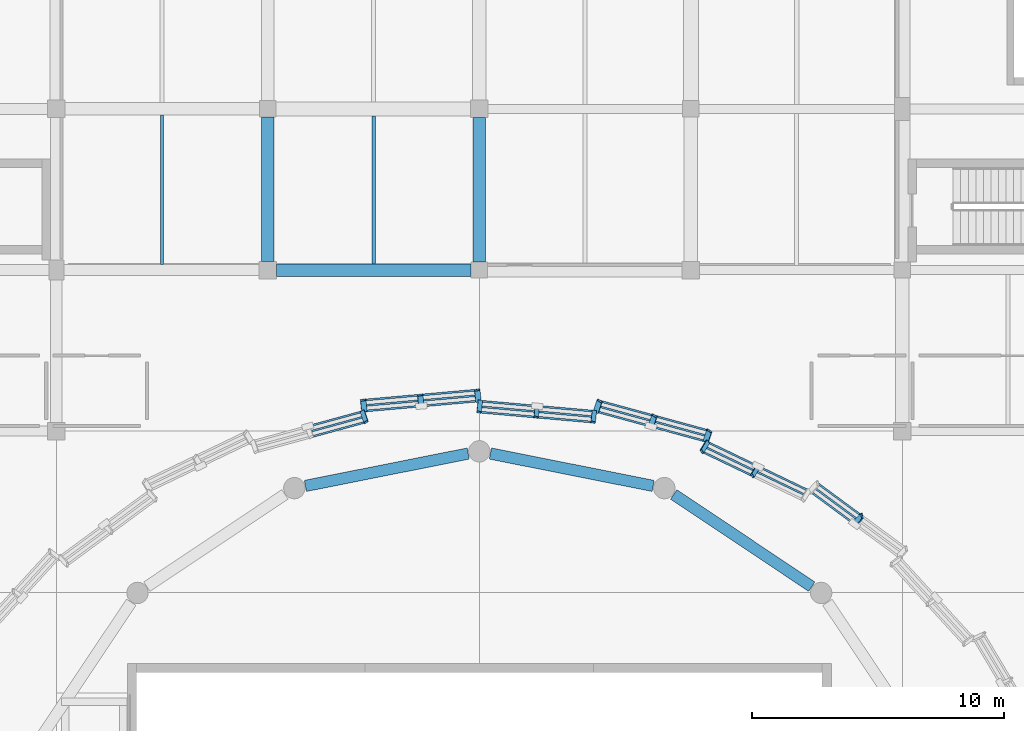
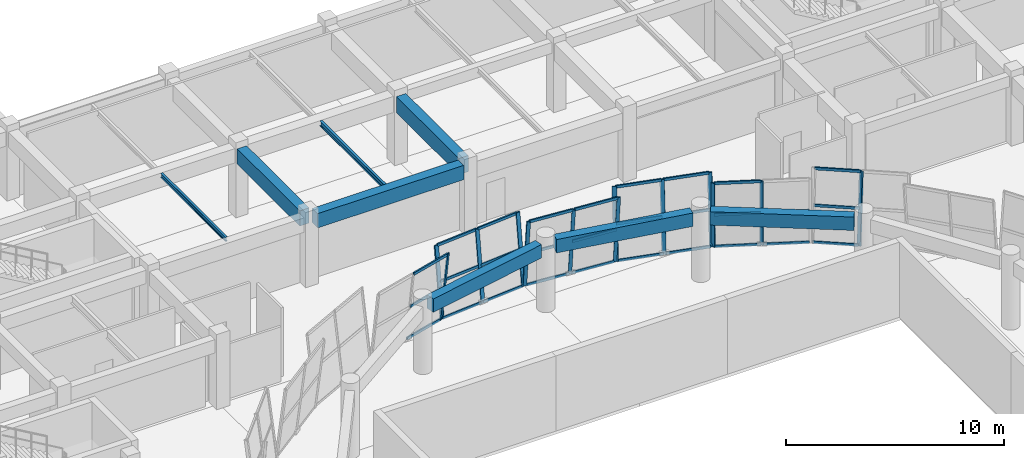
# One storey, part 35 of 74: 42 members, 8 beams, 6 elements without a shape of their own.
"""IFC4 building model written with IfcOpenShell, lengths in metres."""

from ifc_helpers import new_model, si_unit, direction, frame, origin, origin_2d, place, context, subcontext, project, spatial, rectangle, hollow_rectangle, i_section, extrude, material, material_profile, profile_set, type_object, element, aggregate, save


model = new_model("IFC4")

# Units and contexts
model_context = context("Model", 3, precision=1e-05, world=origin(), true_north=direction((0.0, 1.0)))
body_context = subcontext(model_context, "Body", "Model", "MODEL_VIEW")
ifc_project = project(units=[si_unit("LENGTHUNIT", "METRE"), si_unit("AREAUNIT", "SQUARE_METRE"), si_unit("VOLUMEUNIT", "CUBIC_METRE"), si_unit("PLANEANGLEUNIT", "RADIAN"), si_unit("MASSUNIT", "GRAM", prefix="KILO")], contexts=[model_context])

# Site, building, storey
site_placement = place(None, origin())
site = spatial("IfcSite", under=ifc_project, at=site_placement, CompositionType="ELEMENT")
building_placement = place(site_placement, origin())
building = spatial("IfcBuilding", under=site, at=building_placement, Name="Korsvaeld Concert Hall", CompositionType="ELEMENT")
storey_placement = place(building_placement, frame((0.0, 0.0, 9.0)))
storey = spatial("IfcBuildingStorey", under=building, at=storey_placement, Name="L02", CompositionType="ELEMENT", Elevation=9.0)

# Beams
ifc_material_1 = material(Name="Concrete C35/45", Category="concrete")
ifc_material_profile_1 = material_profile(ifc_material_1, rectangle(XDim=0.449951171875, YDim=0.75, at=origin_2d()), Name="RC 450x750")
ifc_profile_set_1 = profile_set([ifc_material_profile_1], Name="Concrete C35/45")
beam_type_1 = type_object("IfcBeamType", Name="BM-RC-450x750", PredefinedType="T_BEAM", material=ifc_profile_set_1)
beam_1_placement = place(storey_placement, frame((97.202392578125, 77.026611328125, 3.465087890625), z_axis=(-0.83148573347, 0.55554610523, 0.0), x_axis=(-0.55554610523, -0.83148573347, 0.0)))
element("IfcBeam", 1, at=beam_1_placement, inside=storey, type_object=beam_type_1, Name="Drum ring floor girder L02 03", PredefinedType="T_BEAM", context=body_context, shape_type="SweptSolid", body=[
    extrude(rectangle(XDim=0.449951171875, YDim=0.75, at=origin_2d()), origin(), (0.0, 0.0, 1.0), 6.591552734375),
])
for number, where, z_axis, x_axis, name in (
    (2, (90.906005859375, 81.0263671875, 3.465087890625), (-0.980785284484, 0.195090301499, 0.0), (-0.195090301499, -0.980785284484, 0.0), "Drum ring floor girder L02 04"),
    (3, (83.55859375, 82.312255859375, 3.465087890625), (-0.980785284484, -0.195090301499, 0.0), (0.195090301499, -0.980785284484, 0.0), "Drum ring floor girder L02 05"),
):
    element("IfcBeam", number, at=place(storey_placement, frame(where, z_axis=z_axis, x_axis=x_axis)), inside=storey, type_object=beam_type_1, Name=name, PredefinedType="T_BEAM", context=body_context, shape_type="SweptSolid", body=[
        extrude(rectangle(XDim=0.449951171875, YDim=0.75, at=origin_2d()), origin(), (0.0, 0.0, 1.0), 6.59130859375),
    ])
ifc_material_2 = material(Name="Concrete C40/50", Category="concrete")
ifc_material_profile_2 = material_profile(ifc_material_2, rectangle(XDim=0.5, YDim=0.800048828125, at=origin_2d()), Name="RC 500x800")
ifc_profile_set_2 = profile_set([ifc_material_profile_2], Name="Concrete C40/50")
beam_type_2 = type_object("IfcBeamType", Name="BM-RC-500x800", PredefinedType="T_BEAM", material=ifc_profile_set_2)
beam_2_placement = place(storey_placement, frame((75.949951171875, 89.60009765625, 3.43994140625), z_axis=(1.0, 0.0, 0.0), x_axis=(0.0, 1.0, 0.0)))
element("IfcBeam", 4, at=beam_2_placement, inside=storey, type_object=beam_type_2, Name="Primary girder 11-12/N L02", PredefinedType="T_BEAM", context=body_context, shape_type="SweptSolid", body=[
    extrude(rectangle(XDim=0.5, YDim=0.800048828125, at=origin_2d()), origin(), (0.0, 0.0, 1.0), 7.72509765625),
])
ifc_material_profile_3 = material_profile(ifc_material_2, rectangle(XDim=0.5, YDim=0.85009765625, at=origin_2d()), Name="RC 500x850")
ifc_profile_set_3 = profile_set([ifc_material_profile_3], Name="Concrete C40/50")
beam_type_3 = type_object("IfcBeamType", Name="BM-RC-500x850", PredefinedType="T_BEAM", material=ifc_profile_set_3)
beam_3_placement = place(storey_placement, frame((75.60009765625, 89.949951171875, 3.4150390625), z_axis=(0.0, 1.0, 0.0), x_axis=(-1.0, 0.0, 0.0)))
element("IfcBeam", 5, at=beam_3_placement, inside=storey, type_object=beam_type_3, Name="Primary girder 11/N-P L02", PredefinedType="T_BEAM", context=body_context, shape_type="SweptSolid", body=[
    extrude(rectangle(XDim=0.5, YDim=0.85009765625, at=origin_2d()), origin(), (0.0, 0.0, 1.0), 5.72509765625),
])
ifc_material_profile_4 = material_profile(ifc_material_2, rectangle(XDim=0.5, YDim=0.89990234375, at=origin_2d()), Name="RC 500x900")
ifc_profile_set_4 = profile_set([ifc_material_profile_4], Name="Concrete C40/50")
beam_type_4 = type_object("IfcBeamType", Name="BM-RC-500x900", PredefinedType="T_BEAM", material=ifc_profile_set_4)
beam_4_placement = place(storey_placement, frame((84.0, 89.925048828125, 3.389892578125), z_axis=(0.0, 1.0, 0.0), x_axis=(-1.0, 0.0, 0.0)))
element("IfcBeam", 6, at=beam_4_placement, inside=storey, type_object=beam_type_4, Name="Primary girder 12/N-P L02", PredefinedType="T_BEAM", context=body_context, shape_type="SweptSolid", body=[
    extrude(rectangle(XDim=0.5, YDim=0.89990234375, at=origin_2d()), origin(), (0.0, 0.0, 1.0), 5.724853515625),
])
ifc_material_3 = material(Name="Steel S355J2", Category="steel")
ifc_material_profile_5 = material_profile(ifc_material_3, i_section(OverallWidth=0.1201171875, OverallDepth=0.239990234375, WebThickness=0.006103515625, FlangeThickness=0.009765625, FilletRadius=0.014892578125, at=origin_2d()), Name="IPE 240")
ifc_profile_set_5 = profile_set([ifc_material_profile_5], Name="Steel S355J2")
beam_type_5 = type_object("IfcBeamType", Name="BM-STL-IPE240", PredefinedType="JOIST", material=ifc_profile_set_5)
beam_5_placement = place(storey_placement, frame((71.39990234375, 89.824951171875, 3.719970703125), z_axis=(0.0, 1.0, 0.0), x_axis=(-1.0, 0.0, 0.0)))
element("IfcBeam", 7, at=beam_5_placement, inside=storey, type_object=beam_type_5, Name="Secondary steel floor beam 10-11/N L02", PredefinedType="JOIST", context=body_context, shape_type="SweptSolid", body=[
    extrude(i_section(OverallWidth=0.1201171875, OverallDepth=0.239990234375, WebThickness=0.006103515625, FlangeThickness=0.009765625, FilletRadius=0.014892578125, at=origin_2d()), origin(), (0.0, 0.0, 1.0), 5.925048828125),
])
ifc_material_profile_6 = material_profile(ifc_material_3, i_section(OverallWidth=0.135009765625, OverallDepth=0.27001953125, WebThickness=0.006591796875, FlangeThickness=0.01025390625, FilletRadius=0.014892578125, at=origin_2d()), Name="IPE 270")
ifc_profile_set_6 = profile_set([ifc_material_profile_6], Name="Steel S355J2")
beam_type_6 = type_object("IfcBeamType", Name="BM-STL-IPE270", PredefinedType="JOIST", material=ifc_profile_set_6)
beam_6_placement = place(storey_placement, frame((79.800048828125, 89.85009765625, 3.705078125), z_axis=(0.0, 1.0, 0.0), x_axis=(-1.0, 0.0, 0.0)))
element("IfcBeam", 8, at=beam_6_placement, inside=storey, type_object=beam_type_6, Name="Secondary steel floor beam 11-12/N L02", PredefinedType="JOIST", context=body_context, shape_type="SweptSolid", body=[
    extrude(i_section(OverallWidth=0.135009765625, OverallDepth=0.27001953125, WebThickness=0.006591796875, FlangeThickness=0.01025390625, FilletRadius=0.014892578125, at=origin_2d()), origin(), (0.0, 0.0, 1.0), 5.875),
])

# Curtain wall, members
ifc_material_4 = material(Name="Anodised bronze and ceramic-fritted safety glass", Category="glass")
curtain_wall_type_1 = type_object("IfcCurtainWallType", Name="CW-TYPE-06", PredefinedType="USERDEFINED", material=ifc_material_4)
curtain_wall_1_placement = place(storey_placement, origin())
curtain_wall_1 = element("IfcCurtainWall", 9, at=curtain_wall_1_placement, inside=storey, type_object=curtain_wall_type_1, Name="Crystal curtain-wall facet L02 F06", ObjectType="CURTAIN WALL", PredefinedType="USERDEFINED")
ifc_material_5 = material(Name="Anodised architectural bronze aluminium", Category="aluminium")
ifc_material_profile_7 = material_profile(ifc_material_5, hollow_rectangle(XDim=0.074951171875, YDim=0.179931640625, WallThickness=0.0048828125, at=origin_2d()), Name="CWM 180x75x5")
ifc_profile_set_7 = profile_set([ifc_material_profile_7], Name="Anodised architectural bronze aluminium")
member_type_1 = type_object("IfcMemberType", Name="CWM-BRONZE-180x75", PredefinedType="MULLION", material=ifc_profile_set_7)
member_1_placement = place(storey_placement, frame((95.0712890625, 81.806640625, 0.0), z_axis=(-0.057831431032, -0.097281845066, 0.993575245367), x_axis=(-0.829740385878, -0.548745919408, -0.10202356579)))
member_1 = element("IfcMember", 10, at=member_1_placement, type_object=member_type_1, Name="CW-CRYS-L02-F06 crystal mullion 2", PredefinedType="MULLION", context=body_context, shape_type="SweptSolid", body=[
    extrude(hollow_rectangle(XDim=0.074951171875, YDim=0.179931640625, WallThickness=0.0048828125, at=origin_2d()), origin(), (0.0, 0.0, 1.0), 3.905029296875),
])
member_2_placement = place(storey_placement, frame((93.065185546875, 82.77001953125, 0.0), z_axis=(-0.057893742062, -0.097281493141, 0.993571651026), x_axis=(-0.829999138773, -0.548349174532, -0.102052008437)))
member_2 = element("IfcMember", 11, at=member_2_placement, type_object=member_type_1, Name="CW-CRYS-L02-F06 crystal mullion 3", PredefinedType="MULLION", context=body_context, shape_type="SweptSolid", body=[
    extrude(hollow_rectangle(XDim=0.074951171875, YDim=0.179931640625, WallThickness=0.0048828125, at=origin_2d()), origin(), (0.0, 0.0, 1.0), 3.905029296875),
])

curtain_wall_type_2 = type_object("IfcCurtainWallType", Name="CW-TYPE-08", PredefinedType="USERDEFINED", material=ifc_material_4)
curtain_wall_2_placement = place(storey_placement, origin())
curtain_wall_2 = element("IfcCurtainWall", 12, at=curtain_wall_2_placement, inside=storey, type_object=curtain_wall_type_2, Name="Crystal curtain-wall facet L02 F08", ObjectType="CURTAIN WALL", PredefinedType="USERDEFINED")
member_3_placement = place(storey_placement, frame((88.566650390625, 83.995849609375, 0.0), z_axis=(-0.0123164825, -0.112536388326, 0.993571268486), x_axis=(-0.195293442092, -0.974240168355, -0.11276775177)))
member_3 = element("IfcMember", 13, at=member_3_placement, type_object=member_type_1, Name="CW-CRYS-L02-F08 crystal mullion 1", PredefinedType="MULLION", context=body_context, shape_type="SweptSolid", body=[
    extrude(hollow_rectangle(XDim=0.074951171875, YDim=0.179931640625, WallThickness=0.0048828125, at=origin_2d()), origin(), (0.0, 0.0, 1.0), 3.905029296875),
])
member_4_placement = place(storey_placement, frame((86.302001953125, 84.1962890625, 0.0), z_axis=(-0.0123164825, -0.112536388326, 0.993571268486), x_axis=(-0.195293442092, -0.974240168355, -0.11276775177)))
member_4 = element("IfcMember", 14, at=member_4_placement, type_object=member_type_1, Name="CW-CRYS-L02-F08 crystal mullion 2", PredefinedType="MULLION", context=body_context, shape_type="SweptSolid", body=[
    extrude(hollow_rectangle(XDim=0.074951171875, YDim=0.179931640625, WallThickness=0.0048828125, at=origin_2d()), origin(), (0.0, 0.0, 1.0), 3.905029296875),
])
member_5_placement = place(storey_placement, frame((84.037353515625, 84.396728515625, 0.0), z_axis=(-0.0123164825, -0.112536388326, 0.993571268486), x_axis=(-0.195293442092, -0.974240168355, -0.11276775177)))
member_5 = element("IfcMember", 15, at=member_5_placement, type_object=member_type_1, Name="CW-CRYS-L02-F08 crystal mullion 3", PredefinedType="MULLION", context=body_context, shape_type="SweptSolid", body=[
    extrude(hollow_rectangle(XDim=0.074951171875, YDim=0.179931640625, WallThickness=0.0048828125, at=origin_2d()), origin(), (0.0, 0.0, 1.0), 3.905029296875),
])

# Curtain wall, member
curtain_wall_type_3 = type_object("IfcCurtainWallType", Name="CW-TYPE-02", PredefinedType="USERDEFINED", material=ifc_material_4)
curtain_wall_3_placement = place(storey_placement, origin())
curtain_wall_3 = element("IfcCurtainWall", 16, at=curtain_wall_3_placement, inside=storey, type_object=curtain_wall_type_3, Name="Crystal curtain-wall facet L02 F10", ObjectType="CURTAIN WALL", PredefinedType="USERDEFINED")
member_6_placement = place(storey_placement, frame((79.359619140625, 83.982666015625, 0.0), z_axis=(0.036261809037, -0.107222418101, 0.993573567614), x_axis=(0.556164276889, -0.823866065586, -0.109206241069)))
member_6 = element("IfcMember", 17, at=member_6_placement, type_object=member_type_1, Name="CW-CRYS-L02-F10 crystal mullion 1", PredefinedType="MULLION", context=body_context, shape_type="SweptSolid", body=[
    extrude(hollow_rectangle(XDim=0.074951171875, YDim=0.179931640625, WallThickness=0.0048828125, at=origin_2d()), origin(), (0.0, 0.0, 1.0), 3.905029296875),
])

curtain_wall_type_4 = type_object("IfcCurtainWallType", Name="CW-TYPE-05", PredefinedType="USERDEFINED", material=ifc_material_4)
curtain_wall_4_placement = place(storey_placement, origin())
curtain_wall_4 = element("IfcCurtainWall", 18, at=curtain_wall_4_placement, inside=storey, type_object=curtain_wall_type_4, Name="Crystal curtain-wall facet L02 F05", ObjectType="CURTAIN WALL", PredefinedType="USERDEFINED")
ifc_material_profile_8 = material_profile(ifc_material_5, hollow_rectangle(XDim=0.074951171875, YDim=0.219970703125, WallThickness=0.006103515625, at=origin_2d()), Name="CWM 220x75x6")
ifc_profile_set_8 = profile_set([ifc_material_profile_8], Name="Anodised architectural bronze aluminium")
member_type_2 = type_object("IfcMemberType", Name="CWM-BRONZE-220x75", PredefinedType="MULLION", material=ifc_profile_set_8)
member_7_placement = place(storey_placement, frame((98.899658203125, 79.509033203125, 0.0), z_axis=(0.076337641738, 0.083527509715, 0.993577233825), x_axis=(0.977548221233, 0.190010379878, -0.09107980403)))
member_7 = element("IfcMember", 19, at=member_7_placement, type_object=member_type_2, Name="CW-CRYS-L02-F05 crystal mullion 2", PredefinedType="MULLION", context=body_context, shape_type="SweptSolid", body=[
    extrude(hollow_rectangle(XDim=0.074951171875, YDim=0.219970703125, WallThickness=0.006103515625, at=origin_2d()), origin(), (0.0, 0.0, 1.0), 3.905029296875),
])

# Curtain wall, members
curtain_wall_type_5 = type_object("IfcCurtainWallType", Name="CW-TYPE-07", PredefinedType="USERDEFINED", material=ifc_material_4)
curtain_wall_5_placement = place(storey_placement, origin())
curtain_wall_5 = element("IfcCurtainWall", 20, at=curtain_wall_5_placement, inside=storey, type_object=curtain_wall_type_5, Name="Crystal curtain-wall facet L02 F07", ObjectType="CURTAIN WALL", PredefinedType="USERDEFINED")
member_8_placement = place(storey_placement, frame((92.9951171875, 82.796142578125, 0.0), z_axis=(0.036199370674, 0.107222660976, 0.993575818212), x_axis=(0.55573373549, 0.824159071594, -0.109187178494)))
member_8 = element("IfcMember", 21, at=member_8_placement, type_object=member_type_2, Name="CW-CRYS-L02-F07 crystal mullion 1", PredefinedType="MULLION", context=body_context, shape_type="SweptSolid", body=[
    extrude(hollow_rectangle(XDim=0.074951171875, YDim=0.219970703125, WallThickness=0.006103515625, at=origin_2d()), origin(), (0.0, 0.0, 1.0), 3.905029296875),
])
member_9_placement = place(storey_placement, frame((90.817626953125, 83.389404296875, 0.0), z_axis=(0.036261565885, 0.107284219065, 0.993566905235), x_axis=(0.556016496994, 0.823958329051, -0.109262651706)))
member_9 = element("IfcMember", 22, at=member_9_placement, type_object=member_type_2, Name="CW-CRYS-L02-F07 crystal mullion 2", PredefinedType="MULLION", context=body_context, shape_type="SweptSolid", body=[
    extrude(hollow_rectangle(XDim=0.074951171875, YDim=0.219970703125, WallThickness=0.006103515625, at=origin_2d()), origin(), (0.0, 0.0, 1.0), 3.905029296875),
])
member_10_placement = place(storey_placement, frame((88.640380859375, 83.982666015625, 0.0), z_axis=(0.036199127939, 0.107284462077, 0.993569155788), x_axis=(0.555586106848, 0.82425112305, -0.109243599485)))
member_10 = element("IfcMember", 23, at=member_10_placement, type_object=member_type_2, Name="CW-CRYS-L02-F07 crystal mullion 3", PredefinedType="MULLION", context=body_context, shape_type="SweptSolid", body=[
    extrude(hollow_rectangle(XDim=0.074951171875, YDim=0.219970703125, WallThickness=0.006103515625, at=origin_2d()), origin(), (0.0, 0.0, 1.0), 3.905029296875),
])

curtain_wall_type_6 = type_object("IfcCurtainWallType", Name="CW-TYPE-01", PredefinedType="USERDEFINED", material=ifc_material_4)
curtain_wall_6_placement = place(storey_placement, origin())
curtain_wall_6 = element("IfcCurtainWall", 24, at=curtain_wall_6_placement, inside=storey, type_object=curtain_wall_type_6, Name="Crystal curtain-wall facet L02 F09", ObjectType="CURTAIN WALL", PredefinedType="USERDEFINED")
member_11_placement = place(storey_placement, frame((83.962646484375, 84.396728515625, 0.0), z_axis=(-0.0123164825, 0.112536388326, 0.993571268486), x_axis=(-0.195293442092, 0.974240168355, -0.11276775177)))
member_11 = element("IfcMember", 25, at=member_11_placement, type_object=member_type_2, Name="CW-CRYS-L02-F09 crystal mullion 1", PredefinedType="MULLION", context=body_context, shape_type="SweptSolid", body=[
    extrude(hollow_rectangle(XDim=0.074951171875, YDim=0.219970703125, WallThickness=0.006103515625, at=origin_2d()), origin(), (0.0, 0.0, 1.0), 3.905029296875),
])
member_12_placement = place(storey_placement, frame((81.697998046875, 84.1962890625, 0.0), z_axis=(-0.012378993159, 0.11253630145, 0.993570501466), x_axis=(-0.195828135114, 0.974132056409, -0.112774457103)))
member_12 = element("IfcMember", 26, at=member_12_placement, type_object=member_type_2, Name="CW-CRYS-L02-F09 crystal mullion 2", PredefinedType="MULLION", context=body_context, shape_type="SweptSolid", body=[
    extrude(hollow_rectangle(XDim=0.074951171875, YDim=0.219970703125, WallThickness=0.006103515625, at=origin_2d()), origin(), (0.0, 0.0, 1.0), 3.905029296875),
])
member_13_placement = place(storey_placement, frame((79.433349609375, 83.995849609375, 0.0), z_axis=(-0.012378993159, 0.11253630145, 0.993570501466), x_axis=(-0.195828135114, 0.974132056409, -0.112774457103)))
member_13 = element("IfcMember", 27, at=member_13_placement, type_object=member_type_2, Name="CW-CRYS-L02-F09 crystal mullion 3", PredefinedType="MULLION", context=body_context, shape_type="SweptSolid", body=[
    extrude(hollow_rectangle(XDim=0.074951171875, YDim=0.219970703125, WallThickness=0.006103515625, at=origin_2d()), origin(), (0.0, 0.0, 1.0), 3.905029296875),
])

# Member
ifc_material_profile_9 = material_profile(ifc_material_5, hollow_rectangle(XDim=0.074951171875, YDim=0.14990234375, WallThickness=0.0048828125, at=origin_2d()), Name="CWT 150x75x5")
ifc_profile_set_9 = profile_set([ifc_material_profile_9], Name="Anodised architectural bronze aluminium")
member_type_3 = type_object("IfcMemberType", Name="CWT-BRONZE-150x75", PredefinedType="USERDEFINED", material=ifc_profile_set_9)
member_14_placement = place(storey_placement, frame((98.871826171875, 79.53369140625, 0.030029296875), z_axis=(-0.804945265899, 0.593349070031, 0.0), x_axis=(-0.593349070031, -0.804945265899, 0.0)))
member_14 = element("IfcMember", 28, at=member_14_placement, type_object=member_type_3, Name="CW-CRYS-L02-F05 crystal transom 2.1", ObjectType="TRANSOM", PredefinedType="USERDEFINED", context=body_context, shape_type="SweptSolid", body=[
    extrude(hollow_rectangle(XDim=0.074951171875, YDim=0.14990234375, WallThickness=0.0048828125, at=origin_2d()), origin(), (0.0, 0.0, 1.0), 2.109130859375),
])

member_15_placement = place(storey_placement, frame((99.0185546875, 79.6943359375, 1.93994140625), z_axis=(-0.804904507896, 0.593404358906, 0.0), x_axis=(-0.593404358906, -0.804904507896, 0.0)))
member_15 = element("IfcMember", 29, at=member_15_placement, type_object=member_type_3, Name="CW-CRYS-L02-F05 crystal transom 2.2", ObjectType="TRANSOM", PredefinedType="USERDEFINED", context=body_context, shape_type="SweptSolid", body=[
    extrude(hollow_rectangle(XDim=0.074951171875, YDim=0.14990234375, WallThickness=0.0048828125, at=origin_2d()), origin(), (0.0, 0.0, 1.0), 2.10888671875),
])

member_16_placement = place(storey_placement, frame((99.165283203125, 79.85498046875, 3.85009765625), z_axis=(-0.804904507896, 0.593404358906, 0.0), x_axis=(-0.593404358906, -0.804904507896, 0.0)))
member_16 = element("IfcMember", 30, at=member_16_placement, type_object=member_type_3, Name="CW-CRYS-L02-F05 crystal transom 2.3", ObjectType="TRANSOM", PredefinedType="USERDEFINED", context=body_context, shape_type="SweptSolid", body=[
    extrude(hollow_rectangle(XDim=0.074951171875, YDim=0.14990234375, WallThickness=0.0048828125, at=origin_2d()), origin(), (0.0, 0.0, 1.0), 2.10888671875),
])

aggregate(curtain_wall_4, [member_7, member_14, member_15, member_16])

member_17_placement = place(storey_placement, frame((97.042236328125, 80.856689453125, 0.030029296875), z_axis=(-0.901464591462, 0.432852850679, 0.0), x_axis=(-0.432852850679, -0.901464591462, 0.0)))
member_17 = element("IfcMember", 31, at=member_17_placement, type_object=member_type_3, Name="CW-CRYS-L02-F06 crystal transom 1.1", ObjectType="TRANSOM", PredefinedType="USERDEFINED", context=body_context, shape_type="SweptSolid", body=[
    extrude(hollow_rectangle(XDim=0.074951171875, YDim=0.14990234375, WallThickness=0.0048828125, at=origin_2d()), origin(), (0.0, 0.0, 1.0), 2.150634765625),
])

member_18_placement = place(storey_placement, frame((96.930908203125, 80.669677734375, 1.93994140625), z_axis=(-0.901464591462, 0.432852850679, 0.0), x_axis=(-0.432852850679, -0.901464591462, 0.0)))
member_18 = element("IfcMember", 32, at=member_18_placement, type_object=member_type_3, Name="CW-CRYS-L02-F06 crystal transom 1.2", ObjectType="TRANSOM", PredefinedType="USERDEFINED", context=body_context, shape_type="SweptSolid", body=[
    extrude(hollow_rectangle(XDim=0.074951171875, YDim=0.14990234375, WallThickness=0.0048828125, at=origin_2d()), origin(), (0.0, 0.0, 1.0), 2.150634765625),
])

member_19_placement = place(storey_placement, frame((95.035888671875, 81.820068359375, 0.030029296875), z_axis=(-0.901508884705, 0.432760592935, 0.0), x_axis=(-0.432760592935, -0.901508884705, 0.0)))
member_19 = element("IfcMember", 33, at=member_19_placement, type_object=member_type_3, Name="CW-CRYS-L02-F06 crystal transom 2.1", ObjectType="TRANSOM", PredefinedType="USERDEFINED", context=body_context, shape_type="SweptSolid", body=[
    extrude(hollow_rectangle(XDim=0.074951171875, YDim=0.14990234375, WallThickness=0.0048828125, at=origin_2d()), origin(), (0.0, 0.0, 1.0), 2.150634765625),
])

member_20_placement = place(storey_placement, frame((94.924560546875, 81.633056640625, 1.93994140625), z_axis=(-0.901508884705, 0.432760592935, 0.0), x_axis=(-0.432760592935, -0.901508884705, 0.0)))
member_20 = element("IfcMember", 34, at=member_20_placement, type_object=member_type_3, Name="CW-CRYS-L02-F06 crystal transom 2.2", ObjectType="TRANSOM", PredefinedType="USERDEFINED", context=body_context, shape_type="SweptSolid", body=[
    extrude(hollow_rectangle(XDim=0.074951171875, YDim=0.14990234375, WallThickness=0.0048828125, at=origin_2d()), origin(), (0.0, 0.0, 1.0), 2.150634765625),
])

member_21_placement = place(storey_placement, frame((94.813232421875, 81.446044921875, 3.85009765625), z_axis=(-0.901508884705, 0.432760592935, 0.0), x_axis=(-0.432760592935, -0.901508884705, 0.0)))
member_21 = element("IfcMember", 35, at=member_21_placement, type_object=member_type_3, Name="CW-CRYS-L02-F06 crystal transom 2.3", ObjectType="TRANSOM", PredefinedType="USERDEFINED", context=body_context, shape_type="SweptSolid", body=[
    extrude(hollow_rectangle(XDim=0.074951171875, YDim=0.14990234375, WallThickness=0.0048828125, at=origin_2d()), origin(), (0.0, 0.0, 1.0), 2.150634765625),
])

aggregate(curtain_wall_1, [member_1, member_2, member_17, member_18, member_19, member_20, member_21])

member_22_placement = place(storey_placement, frame((92.9599609375, 82.80908203125, 0.030029296875), z_axis=(-0.964805126409, 0.262965906641, 0.0), x_axis=(-0.262965906641, -0.964805126409, 0.0)))
member_22 = element("IfcMember", 36, at=member_22_placement, type_object=member_type_3, Name="CW-CRYS-L02-F07 crystal transom 1.1", ObjectType="TRANSOM", PredefinedType="USERDEFINED", context=body_context, shape_type="SweptSolid", body=[
    extrude(hollow_rectangle(XDim=0.074951171875, YDim=0.14990234375, WallThickness=0.0048828125, at=origin_2d()), origin(), (0.0, 0.0, 1.0), 2.181884765625),
])

member_23_placement = place(storey_placement, frame((93.029541015625, 83.015380859375, 1.93994140625), z_axis=(-0.964833511963, 0.262861739689, 0.0), x_axis=(-0.262861739689, -0.964833511963, 0.0)))
member_23 = element("IfcMember", 37, at=member_23_placement, type_object=member_type_3, Name="CW-CRYS-L02-F07 crystal transom 1.2", ObjectType="TRANSOM", PredefinedType="USERDEFINED", context=body_context, shape_type="SweptSolid", body=[
    extrude(hollow_rectangle(XDim=0.074951171875, YDim=0.14990234375, WallThickness=0.0048828125, at=origin_2d()), origin(), (0.0, 0.0, 1.0), 2.181640625),
])

member_24_placement = place(storey_placement, frame((93.099365234375, 83.221435546875, 3.85009765625), z_axis=(-0.964812863187, 0.26293751925, 0.0), x_axis=(-0.26293751925, -0.964812863187, 0.0)))
member_24 = element("IfcMember", 38, at=member_24_placement, type_object=member_type_3, Name="CW-CRYS-L02-F07 crystal transom 1.3", ObjectType="TRANSOM", PredefinedType="USERDEFINED", context=body_context, shape_type="SweptSolid", body=[
    extrude(hollow_rectangle(XDim=0.074951171875, YDim=0.14990234375, WallThickness=0.0048828125, at=origin_2d()), origin(), (0.0, 0.0, 1.0), 2.181884765625),
])

member_25_placement = place(storey_placement, frame((90.78271484375, 83.402587890625, 0.030029296875), z_axis=(-0.964841242841, 0.262833361873, 0.0), x_axis=(-0.262833361873, -0.964841242841, 0.0)))
member_25 = element("IfcMember", 39, at=member_25_placement, type_object=member_type_3, Name="CW-CRYS-L02-F07 crystal transom 2.1", ObjectType="TRANSOM", PredefinedType="USERDEFINED", context=body_context, shape_type="SweptSolid", body=[
    extrude(hollow_rectangle(XDim=0.074951171875, YDim=0.14990234375, WallThickness=0.0048828125, at=origin_2d()), origin(), (0.0, 0.0, 1.0), 2.181884765625),
])

member_26_placement = place(storey_placement, frame((90.852294921875, 83.608642578125, 1.93994140625), z_axis=(-0.964812863187, 0.26293751925, 0.0), x_axis=(-0.26293751925, -0.964812863187, 0.0)))
member_26 = element("IfcMember", 40, at=member_26_placement, type_object=member_type_3, Name="CW-CRYS-L02-F07 crystal transom 2.2", ObjectType="TRANSOM", PredefinedType="USERDEFINED", context=body_context, shape_type="SweptSolid", body=[
    extrude(hollow_rectangle(XDim=0.074951171875, YDim=0.14990234375, WallThickness=0.0048828125, at=origin_2d()), origin(), (0.0, 0.0, 1.0), 2.181884765625),
])

member_27_placement = place(storey_placement, frame((90.921875, 83.81494140625, 3.85009765625), z_axis=(-0.964833511963, 0.262861739689, 0.0), x_axis=(-0.262861739689, -0.964833511963, 0.0)))
member_27 = element("IfcMember", 41, at=member_27_placement, type_object=member_type_3, Name="CW-CRYS-L02-F07 crystal transom 2.3", ObjectType="TRANSOM", PredefinedType="USERDEFINED", context=body_context, shape_type="SweptSolid", body=[
    extrude(hollow_rectangle(XDim=0.074951171875, YDim=0.14990234375, WallThickness=0.0048828125, at=origin_2d()), origin(), (0.0, 0.0, 1.0), 2.181640625),
])

aggregate(curtain_wall_5, [member_8, member_9, member_10, member_22, member_23, member_24, member_25, member_26, member_27])

member_28_placement = place(storey_placement, frame((88.529052734375, 83.995849609375, 0.030029296875), z_axis=(-0.996105218313, 0.088172524341, 0.0), x_axis=(-0.088172524341, -0.996105218313, 0.0)))
member_28 = element("IfcMember", 42, at=member_28_placement, type_object=member_type_3, Name="CW-CRYS-L02-F08 crystal transom 1.1", ObjectType="TRANSOM", PredefinedType="USERDEFINED", context=body_context, shape_type="SweptSolid", body=[
    extrude(hollow_rectangle(XDim=0.074951171875, YDim=0.14990234375, WallThickness=0.0048828125, at=origin_2d()), origin(), (0.0, 0.0, 1.0), 2.198486328125),
])

member_29_placement = place(storey_placement, frame((88.50537109375, 83.779541015625, 1.93994140625), z_axis=(-0.996105218313, 0.088172524341, 0.0), x_axis=(-0.088172524341, -0.996105218313, 0.0)))
member_29 = element("IfcMember", 43, at=member_29_placement, type_object=member_type_3, Name="CW-CRYS-L02-F08 crystal transom 1.2", ObjectType="TRANSOM", PredefinedType="USERDEFINED", context=body_context, shape_type="SweptSolid", body=[
    extrude(hollow_rectangle(XDim=0.074951171875, YDim=0.14990234375, WallThickness=0.0048828125, at=origin_2d()), origin(), (0.0, 0.0, 1.0), 2.198486328125),
])

member_30_placement = place(storey_placement, frame((88.481689453125, 83.563232421875, 3.85009765625), z_axis=(-0.996106081505, 0.088162772123, 0.0), x_axis=(-0.088162772123, -0.996106081505, 0.0)))
member_30 = element("IfcMember", 44, at=member_30_placement, type_object=member_type_3, Name="CW-CRYS-L02-F08 crystal transom 1.3", ObjectType="TRANSOM", PredefinedType="USERDEFINED", context=body_context, shape_type="SweptSolid", body=[
    extrude(hollow_rectangle(XDim=0.074951171875, YDim=0.14990234375, WallThickness=0.0048828125, at=origin_2d()), origin(), (0.0, 0.0, 1.0), 2.19873046875),
])

member_31_placement = place(storey_placement, frame((86.264404296875, 84.1962890625, 0.030029296875), z_axis=(-0.996115826652, 0.088052597317, 0.0), x_axis=(-0.088052597317, -0.996115826652, 0.0)))
member_31 = element("IfcMember", 45, at=member_31_placement, type_object=member_type_3, Name="CW-CRYS-L02-F08 crystal transom 2.1", ObjectType="TRANSOM", PredefinedType="USERDEFINED", context=body_context, shape_type="SweptSolid", body=[
    extrude(hollow_rectangle(XDim=0.074951171875, YDim=0.14990234375, WallThickness=0.0048828125, at=origin_2d()), origin(), (0.0, 0.0, 1.0), 2.19873046875),
])

member_32_placement = place(storey_placement, frame((86.24072265625, 83.97998046875, 1.93994140625), z_axis=(-0.996115826652, 0.088052597317, 0.0), x_axis=(-0.088052597317, -0.996115826652, 0.0)))
member_32 = element("IfcMember", 46, at=member_32_placement, type_object=member_type_3, Name="CW-CRYS-L02-F08 crystal transom 2.2", ObjectType="TRANSOM", PredefinedType="USERDEFINED", context=body_context, shape_type="SweptSolid", body=[
    extrude(hollow_rectangle(XDim=0.074951171875, YDim=0.14990234375, WallThickness=0.0048828125, at=origin_2d()), origin(), (0.0, 0.0, 1.0), 2.19873046875),
])

member_33_placement = place(storey_placement, frame((86.216796875, 83.763671875, 3.85009765625), z_axis=(-0.996114965607, 0.088062337539, 0.0), x_axis=(-0.088062337539, -0.996114965607, 0.0)))
member_33 = element("IfcMember", 47, at=member_33_placement, type_object=member_type_3, Name="CW-CRYS-L02-F08 crystal transom 2.3", ObjectType="TRANSOM", PredefinedType="USERDEFINED", context=body_context, shape_type="SweptSolid", body=[
    extrude(hollow_rectangle(XDim=0.074951171875, YDim=0.14990234375, WallThickness=0.0048828125, at=origin_2d()), origin(), (0.0, 0.0, 1.0), 2.198486328125),
])

aggregate(curtain_wall_2, [member_3, member_4, member_5, member_28, member_29, member_30, member_31, member_32, member_33])

member_34_placement = place(storey_placement, frame((83.9248046875, 84.396728515625, 0.030029296875), z_axis=(-0.996105218313, -0.088172524341, 0.0), x_axis=(0.088172524341, -0.996105218313, 0.0)))
member_34 = element("IfcMember", 48, at=member_34_placement, type_object=member_type_3, Name="CW-CRYS-L02-F09 crystal transom 1.1", ObjectType="TRANSOM", PredefinedType="USERDEFINED", context=body_context, shape_type="SweptSolid", body=[
    extrude(hollow_rectangle(XDim=0.074951171875, YDim=0.14990234375, WallThickness=0.0048828125, at=origin_2d()), origin(), (0.0, 0.0, 1.0), 2.198486328125),
])

member_35_placement = place(storey_placement, frame((83.901123046875, 84.613037109375, 1.93994140625), z_axis=(-0.996114965607, -0.088062337539, 0.0), x_axis=(0.088062337539, -0.996114965607, 0.0)))
member_35 = element("IfcMember", 49, at=member_35_placement, type_object=member_type_3, Name="CW-CRYS-L02-F09 crystal transom 1.2", ObjectType="TRANSOM", PredefinedType="USERDEFINED", context=body_context, shape_type="SweptSolid", body=[
    extrude(hollow_rectangle(XDim=0.074951171875, YDim=0.14990234375, WallThickness=0.0048828125, at=origin_2d()), origin(), (0.0, 0.0, 1.0), 2.198486328125),
])

member_36_placement = place(storey_placement, frame((83.87744140625, 84.829345703125, 3.85009765625), z_axis=(-0.996114965607, -0.088062337539, 0.0), x_axis=(0.088062337539, -0.996114965607, 0.0)))
member_36 = element("IfcMember", 50, at=member_36_placement, type_object=member_type_3, Name="CW-CRYS-L02-F09 crystal transom 1.3", ObjectType="TRANSOM", PredefinedType="USERDEFINED", context=body_context, shape_type="SweptSolid", body=[
    extrude(hollow_rectangle(XDim=0.074951171875, YDim=0.14990234375, WallThickness=0.0048828125, at=origin_2d()), origin(), (0.0, 0.0, 1.0), 2.198486328125),
])

member_37_placement = place(storey_placement, frame((81.66015625, 84.1962890625, 0.030029296875), z_axis=(-0.996114965607, -0.088062337539, 0.0), x_axis=(0.088062337539, -0.996114965607, 0.0)))
member_37 = element("IfcMember", 51, at=member_37_placement, type_object=member_type_3, Name="CW-CRYS-L02-F09 crystal transom 2.1", ObjectType="TRANSOM", PredefinedType="USERDEFINED", context=body_context, shape_type="SweptSolid", body=[
    extrude(hollow_rectangle(XDim=0.074951171875, YDim=0.14990234375, WallThickness=0.0048828125, at=origin_2d()), origin(), (0.0, 0.0, 1.0), 2.198486328125),
])

member_38_placement = place(storey_placement, frame((81.636474609375, 84.41259765625, 1.93994140625), z_axis=(-0.996114965607, -0.088062337539, 0.0), x_axis=(0.088062337539, -0.996114965607, 0.0)))
member_38 = element("IfcMember", 52, at=member_38_placement, type_object=member_type_3, Name="CW-CRYS-L02-F09 crystal transom 2.2", ObjectType="TRANSOM", PredefinedType="USERDEFINED", context=body_context, shape_type="SweptSolid", body=[
    extrude(hollow_rectangle(XDim=0.074951171875, YDim=0.14990234375, WallThickness=0.0048828125, at=origin_2d()), origin(), (0.0, 0.0, 1.0), 2.198486328125),
])

member_39_placement = place(storey_placement, frame((81.61279296875, 84.629150390625, 3.85009765625), z_axis=(-0.996105218313, -0.088172524341, 0.0), x_axis=(0.088172524341, -0.996105218313, 0.0)))
member_39 = element("IfcMember", 53, at=member_39_placement, type_object=member_type_3, Name="CW-CRYS-L02-F09 crystal transom 2.3", ObjectType="TRANSOM", PredefinedType="USERDEFINED", context=body_context, shape_type="SweptSolid", body=[
    extrude(hollow_rectangle(XDim=0.074951171875, YDim=0.14990234375, WallThickness=0.0048828125, at=origin_2d()), origin(), (0.0, 0.0, 1.0), 2.198486328125),
])

aggregate(curtain_wall_6, [member_11, member_12, member_13, member_34, member_35, member_36, member_37, member_38, member_39])

member_40_placement = place(storey_placement, frame((79.32470703125, 83.9697265625, 0.030029296875), z_axis=(-0.964812863187, -0.26293751925, 0.0), x_axis=(0.26293751925, -0.964812863187, 0.0)))
member_40 = element("IfcMember", 54, at=member_40_placement, type_object=member_type_3, Name="CW-CRYS-L02-F10 crystal transom 1.1", ObjectType="TRANSOM", PredefinedType="USERDEFINED", context=body_context, shape_type="SweptSolid", body=[
    extrude(hollow_rectangle(XDim=0.074951171875, YDim=0.14990234375, WallThickness=0.0048828125, at=origin_2d()), origin(), (0.0, 0.0, 1.0), 2.181884765625),
])

member_41_placement = place(storey_placement, frame((79.394287109375, 83.763427734375, 1.93994140625), z_axis=(-0.964833511963, -0.262861739689, 0.0), x_axis=(0.262861739689, -0.964833511963, 0.0)))
member_41 = element("IfcMember", 55, at=member_41_placement, type_object=member_type_3, Name="CW-CRYS-L02-F10 crystal transom 1.2", ObjectType="TRANSOM", PredefinedType="USERDEFINED", context=body_context, shape_type="SweptSolid", body=[
    extrude(hollow_rectangle(XDim=0.074951171875, YDim=0.14990234375, WallThickness=0.0048828125, at=origin_2d()), origin(), (0.0, 0.0, 1.0), 2.181640625),
])

member_42_placement = place(storey_placement, frame((79.4638671875, 83.557373046875, 3.85009765625), z_axis=(-0.964805126409, -0.262965906641, 0.0), x_axis=(0.262965906641, -0.964805126409, 0.0)))
member_42 = element("IfcMember", 56, at=member_42_placement, type_object=member_type_3, Name="CW-CRYS-L02-F10 crystal transom 1.3", ObjectType="TRANSOM", PredefinedType="USERDEFINED", context=body_context, shape_type="SweptSolid", body=[
    extrude(hollow_rectangle(XDim=0.074951171875, YDim=0.14990234375, WallThickness=0.0048828125, at=origin_2d()), origin(), (0.0, 0.0, 1.0), 2.181884765625),
])

aggregate(curtain_wall_3, [member_6, member_40, member_41, member_42])

save(model, "model.ifc")
